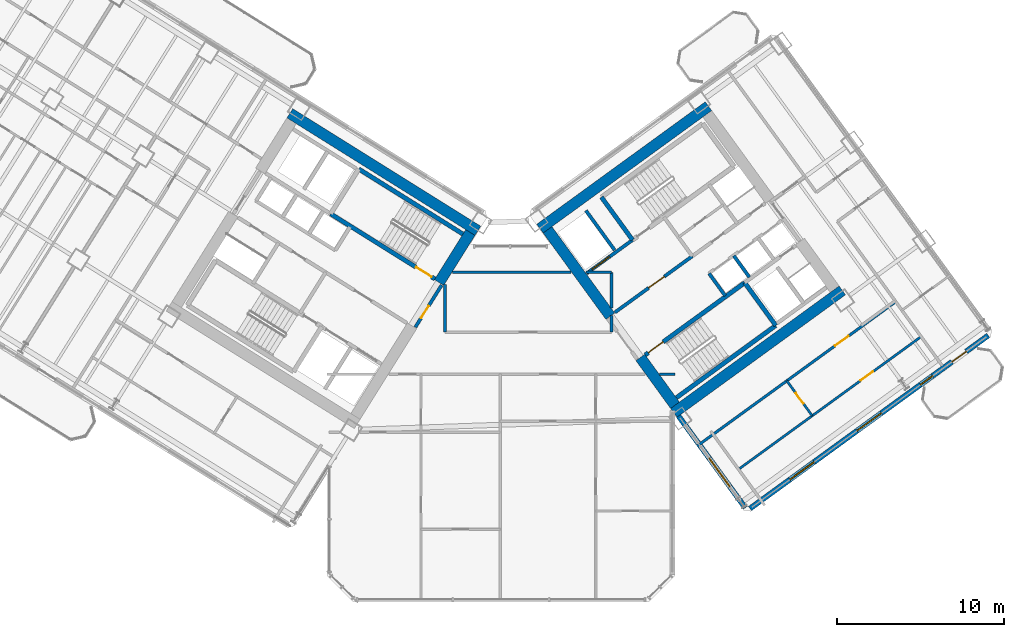
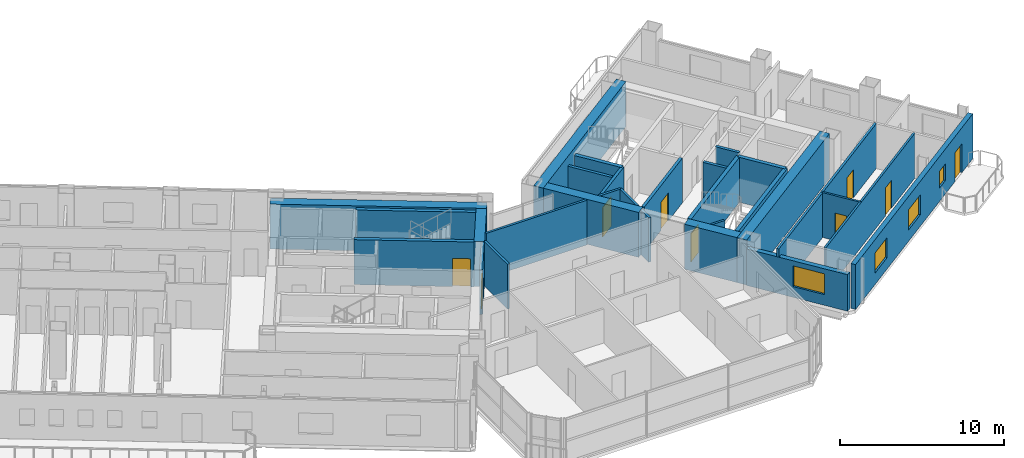
# One storey, part 18 of 28: 29 walls, 9 doors, 4 windows, 13 openings.
"""IFC4 building model written with IfcOpenShell, lengths in metres."""

from ifc_helpers import new_model, si_unit, direction, frame, frame_2d, origin, place, context, subcontext, project, spatial, rectangle, extrude, source, transform, mapped, material, layer, layer_set, type_object, element, fill, save


model = new_model("IFC4")

# Units and contexts
model_context = context("Model", 3, precision=1e-05, world=origin(), true_north=direction((0.0, 1.0)))
body_context = subcontext(model_context, "Body", "Model", "MODEL_VIEW")
ifc_project = project(units=[si_unit("LENGTHUNIT", "METRE"), si_unit("AREAUNIT", "SQUARE_METRE"), si_unit("VOLUMEUNIT", "CUBIC_METRE"), si_unit("PLANEANGLEUNIT", "RADIAN"), si_unit("MASSUNIT", "GRAM", prefix="KILO")], contexts=[model_context])

# Site, building, storey
site_placement = place(None, origin())
site = spatial("IfcSite", under=ifc_project, at=site_placement, CompositionType="ELEMENT")
building_placement = place(site_placement, origin())
building = spatial("IfcBuilding", under=site, at=building_placement, Name="Tlacorven Tower", CompositionType="ELEMENT")
storey_placement = place(building_placement, frame((0.0, 0.0, 27.60009765625)))
storey = spatial("IfcBuildingStorey", under=building, at=storey_placement, Name="L06", CompositionType="ELEMENT", Elevation=27.60009765625)

# Walls
ifc_material_1 = material(Name="Concrete C60/75", Category="concrete")
ifc_layer_1 = layer(ifc_material_1, 0.64990234375)
ifc_layer_set_1 = layer_set([ifc_layer_1], Name="Concrete C60/75")
wall_type_1 = type_object("IfcWallType", Name="WL-COR-650", PredefinedType="SHEAR", material=ifc_layer_set_1)
wall_1_placement = place(storey_placement, frame((40.615478515625, 23.9833984375, 0.0), z_axis=(0.0, 0.0, 1.0), x_axis=(-0.848045953968, 0.529922692436, 0.0)))
element("IfcWall", 1, at=wall_1_placement, inside=storey, type_object=wall_type_1, Name="L06 W core shear wall S1", PredefinedType="SHEAR", context=body_context, shape_type="SweptSolid", body=[
    extrude(rectangle(XDim=13.239990234375, YDim=0.64990234375, at=frame_2d((6.6201171875, 0.0))), origin(), (0.0, 0.0, 1.0), 3.349853515625),
])
wall_2_placement = place(storey_placement, frame((40.167724609375, 23.880126953125, 0.0), z_axis=(0.0, 0.0, 1.0), x_axis=(-0.529893103397, -0.8480644427, 0.0)))
element("IfcWall", 2, at=wall_2_placement, inside=storey, type_object=wall_type_1, Name="L06 W core end wall E1.1", PredefinedType="SHEAR", context=body_context, shape_type="SweptSolid", body=[
    extrude(rectangle(XDim=3.525146484375, YDim=0.64990234375, at=frame_2d((1.7626953125, 0.0))), origin(), (0.0, 0.0, 1.0), 3.349853515625),
])
wall_3_placement = place(storey_placement, frame((52.318359375, 13.1103515625, 0.0), z_axis=(0.0, 0.0, 1.0), x_axis=(0.809019445368, 0.587781878776, 0.0)))
element("IfcWall", 3, at=wall_3_placement, inside=storey, type_object=wall_type_1, Name="L06 E core shear wall S1", PredefinedType="SHEAR", context=body_context, shape_type="SweptSolid", body=[
    extrude(rectangle(XDim=12.43994140625, YDim=0.64990234375, at=frame_2d((6.219970703125, 0.0))), origin(), (0.0, 0.0, 1.0), 3.349853515625),
])
wall_4_placement = place(storey_placement, frame((44.32470703125, 24.113037109375, 0.0), z_axis=(0.0, 0.0, 1.0), x_axis=(0.809012664862, 0.58779121131, 0.0)))
element("IfcWall", 4, at=wall_4_placement, inside=storey, type_object=wall_type_1, Name="L06 E core shear wall S2", PredefinedType="SHEAR", context=body_context, shape_type="SweptSolid", body=[
    extrude(rectangle(XDim=12.439697265625, YDim=0.64990234375, at=frame_2d((6.2197265625, 0.0))), origin(), (0.0, 0.0, 1.0), 3.349853515625),
])
wall_5_placement = place(storey_placement, frame((52.390380859375, 13.564208984375, 0.0), z_axis=(0.0, 0.0, 1.0), x_axis=(-0.58779688989, 0.809008539037, 0.0)))
element("IfcWall", 5, at=wall_5_placement, inside=storey, type_object=wall_type_1, Name="L06 E core end wall E1.1", PredefinedType="SHEAR", context=body_context, shape_type="SweptSolid", body=[
    extrude(rectangle(XDim=3.525146484375, YDim=0.64990234375, at=frame_2d((1.7626953125, 0.0))), origin(), (0.0, 0.0, 1.0), 3.349853515625),
])
wall_6_placement = place(storey_placement, frame((48.525634765625, 18.883544921875, 0.0), z_axis=(0.0, 0.0, 1.0), x_axis=(-0.58777996584, 0.809020835181, 0.0)))
element("IfcWall", 6, at=wall_6_placement, inside=storey, type_object=wall_type_1, Name="L06 E core end wall E1.2", PredefinedType="SHEAR", context=body_context, shape_type="SweptSolid", body=[
    extrude(rectangle(XDim=6.375, YDim=0.64990234375, at=frame_2d((3.1875, 0.0))), origin(), (0.0, 0.0, 1.0), 3.349853515625),
])
ifc_material_2 = material(Name="Gypsum plasterboard acoustic partition", Category="gypsum")
ifc_layer_2 = layer(ifc_material_2, 0.159912109375)
ifc_layer_set_2 = layer_set([ifc_layer_2], Name="Gypsum plasterboard acoustic partition")
wall_type_2 = type_object("IfcWallType", Name="WL-DEM-160", PredefinedType="PARTITIONING", material=ifc_layer_set_2)
wall_7_placement = place(storey_placement, frame((51.477294921875, 15.419921875, 0.0), z_axis=(0.0, 0.0, 1.0), x_axis=(1.0, 0.0, 0.0)))
element("IfcWall", 7, at=wall_7_placement, inside=storey, type_object=wall_type_2, Name="L06 Knuckle Corridor South Wall", PredefinedType="PARTITIONING", context=body_context, shape_type="SweptSolid", body=[
    extrude(rectangle(XDim=0.922607421875, YDim=0.159912109375, at=frame_2d((0.46142578125, 0.0))), origin(), (0.0, 0.0, 1.0), 3.33984375),
])
wall_8_placement = place(storey_placement, frame((38.64990234375, 17.929931640625, 0.0), z_axis=(0.0, 0.0, 1.0), x_axis=(0.0, 1.0, 0.0)))
element("IfcWall", 8, at=wall_8_placement, inside=storey, type_object=wall_type_2, Name="L06 partition 76", PredefinedType="PARTITIONING", context=body_context, shape_type="SweptSolid", body=[
    extrude(rectangle(XDim=2.85693359375, YDim=0.159912109375, at=frame_2d((1.428466796875, 0.0))), origin(), (0.0, 0.0, 1.0), 3.33984375),
])
wall_9_placement = place(storey_placement, frame((48.60009765625, 17.929931640625, 0.0), z_axis=(0.0, 0.0, 1.0), x_axis=(0.0, 1.0, 0.0)))
element("IfcWall", 9, at=wall_9_placement, inside=storey, type_object=wall_type_2, Name="L06 partition 77", PredefinedType="PARTITIONING", context=body_context, shape_type="SweptSolid", body=[
    extrude(rectangle(XDim=0.99267578125, YDim=0.159912109375, at=frame_2d((0.496337890625, 0.0))), origin(), (0.0, 0.0, 1.0), 3.33984375),
])
wall_10_placement = place(storey_placement, frame((48.60009765625, 19.380126953125, 0.0), z_axis=(0.0, 0.0, 1.0), x_axis=(0.0, 1.0, 0.0)))
element("IfcWall", 10, at=wall_10_placement, inside=storey, type_object=wall_type_2, Name="L06 partition 77", PredefinedType="PARTITIONING", context=body_context, shape_type="SweptSolid", body=[
    extrude(rectangle(XDim=2.119873046875, YDim=0.159912109375, at=frame_2d((1.06005859375, 0.0))), origin(), (0.0, 0.0, 1.0), 3.33984375),
])
wall_11_placement = place(storey_placement, frame((39.095458984375, 21.5, 0.0), z_axis=(0.0, 0.0, 1.0), x_axis=(1.0, 0.0, 0.0)))
element("IfcWall", 11, at=wall_11_placement, inside=storey, type_object=wall_type_2, Name="L06 partition 78", PredefinedType="PARTITIONING", context=body_context, shape_type="SweptSolid", body=[
    extrude(rectangle(XDim=7.09423828125, YDim=0.159912109375, at=frame_2d((3.547119140625, 0.0))), origin(), (0.0, 0.0, 1.0), 3.33984375),
])
wall_12_placement = place(storey_placement, frame((47.059814453125, 21.5, 0.0), z_axis=(0.0, 0.0, 1.0), x_axis=(1.0, 0.0, 0.0)))
element("IfcWall", 12, at=wall_12_placement, inside=storey, type_object=wall_type_2, Name="L06 partition 78", PredefinedType="PARTITIONING", context=body_context, shape_type="SweptSolid", body=[
    extrude(rectangle(XDim=1.540283203125, YDim=0.159912109375, at=frame_2d((0.77001953125, 0.0))), origin(), (0.0, 0.0, 1.0), 3.33984375),
])

# Wall, opening, door
wall_13_placement = place(storey_placement, frame((53.70458984375, 11.1259765625, 0.0), z_axis=(0.0, 0.0, 1.0), x_axis=(0.809014504436, 0.587788679384, 0.0)))
wall_13 = element("IfcWall", 13, at=wall_13_placement, inside=storey, type_object=wall_type_2, Name="L06 partition 98", PredefinedType="PARTITIONING", context=body_context, shape_type="SweptSolid", body=[
    extrude(rectangle(XDim=14.669921875, YDim=0.159912109375, at=frame_2d((7.3349609375, 0.0))), origin(), (0.0, 0.0, 1.0), 3.33984375),
])
opening_1_placement = place(wall_13_placement, frame((10.199951171875, 0.0, 0.0)))
opening_1 = element("IfcOpeningElement", 14, at=opening_1_placement, cuts=wall_13, Name="Opening D11", PredefinedType="OPENING", context=body_context, shape_type="SweptSolid", body=[
    extrude(rectangle(XDim=1.0, YDim=2.10009765625, at=frame_2d((0.5, 1.050048828125))), frame((0.0, 0.08984375, 0.0), z_axis=(0.0, -1.0, 0.0), x_axis=(1.0, 0.0, 0.0)), (0.0, 0.0, 1.0), 0.179931640625),
])
ifc_material_3 = material(Name="Fire-rated steel door assembly", Category="steel")
door_type_1 = type_object("IfcDoorType", Name="DR-FLT-FD60-1000", OperationType="NOTDEFINED", PredefinedType="DOOR", material=ifc_material_3)
shared_shape_1 = source(origin(), body_context, "Body", "SweptSolid", [
    extrude(rectangle(XDim=1.0, YDim=2.10009765625, at=frame_2d((0.5, 1.050048828125))), frame((0.0, 0.02490234375, 0.0), z_axis=(0.0, -1.0, 0.0), x_axis=(1.0, 0.0, 0.0)), (0.0, 0.0, 1.0), 0.050048828125),
])
door_1_placement = place(opening_1_placement, origin())
door_1 = element("IfcDoor", 15, at=door_1_placement, inside=storey, type_object=door_type_1, Name="L06 door 059", OperationType="SINGLE_SWING_LEFT", OverallHeight=2.10009765625, OverallWidth=1.0, PredefinedType="DOOR", context=body_context, shape_type="MappedRepresentation", body=[
    mapped(shared_shape_1, transform((0.0, 0.0, 0.0), scale=1.0)),
])
fill(opening_1, door_1)

# Wall, openings, door, windows
ifc_material_4 = material(Name="Precast concrete C45/55", Category="concrete")
ifc_layer_3 = layer(ifc_material_4, 0.320068359375)
ifc_layer_set_3 = layer_set([ifc_layer_3], Name="Precast concrete C45/55")
wall_type_3 = type_object("IfcWallType", Name="WL-EXT-320", PredefinedType="STANDARD", material=ifc_layer_set_3)
wall_14_placement = place(storey_placement, frame((71.097900390625, 17.73095703125, 0.0), z_axis=(0.0, 0.0, 1.0), x_axis=(-0.809021120468, -0.587779573171, 0.0)))
wall_14 = element("IfcWall", 16, at=wall_14_placement, inside=storey, type_object=wall_type_3, Name="L06 Masonry-Frame Recessed Facade Wall 6", PredefinedType="STANDARD", context=body_context, shape_type="SweptSolid", body=[
    extrude(rectangle(XDim=17.587646484375, YDim=0.320068359375, at=frame_2d((8.7939453125, 0.0))), origin(), (0.0, 0.0, 1.0), 3.349853515625),
])
opening_2_placement = place(wall_14_placement, frame((1.623779296875, 0.0, 0.0)))
opening_2 = element("IfcOpeningElement", 17, at=opening_2_placement, cuts=wall_14, Name="Opening D06", PredefinedType="OPENING", context=body_context, shape_type="SweptSolid", body=[
    extrude(rectangle(XDim=1.050048828125, YDim=2.14990234375, at=frame_2d((0.52490234375, 1.074951171875))), frame((0.0, 0.169921875, 0.0), z_axis=(0.0, -1.0, 0.0), x_axis=(1.0, 0.0, 0.0)), (0.0, 0.0, 1.0), 0.340087890625),
])
opening_3_placement = place(wall_14_placement, frame((4.103759765625, 0.0, 1.0)))
opening_3 = element("IfcOpeningElement", 18, at=opening_3_placement, cuts=wall_14, Name="Opening WN05", PredefinedType="OPENING", context=body_context, shape_type="SweptSolid", body=[
    extrude(rectangle(XDim=0.89990234375, YDim=1.25, at=frame_2d((0.449951171875, 0.625))), frame((0.0, 0.169921875, 0.0), z_axis=(0.0, -1.0, 0.0), x_axis=(1.0, 0.0, 0.0)), (0.0, 0.0, 1.0), 0.340087890625),
])
opening_4_placement = place(wall_14_placement, frame((7.878662109375, 0.0, 0.85009765625)))
opening_4 = element("IfcOpeningElement", 19, at=opening_4_placement, cuts=wall_14, Name="Opening WN01", PredefinedType="OPENING", context=body_context, shape_type="SweptSolid", body=[
    extrude(rectangle(XDim=1.800048828125, YDim=1.5, at=frame_2d((0.89990234375, 0.75))), frame((0.0, 0.169921875, 0.0), z_axis=(0.0, -1.0, 0.0), x_axis=(1.0, 0.0, 0.0)), (0.0, 0.0, 1.0), 0.340087890625),
])
opening_5_placement = place(wall_14_placement, frame((12.8486328125, 0.0, 0.85009765625)))
opening_5 = element("IfcOpeningElement", 20, at=opening_5_placement, cuts=wall_14, Name="Opening WN01", PredefinedType="OPENING", context=body_context, shape_type="SweptSolid", body=[
    extrude(rectangle(XDim=1.800048828125, YDim=1.5, at=frame_2d((0.89990234375, 0.75))), frame((0.0, 0.169921875, 0.0), z_axis=(0.0, -1.0, 0.0), x_axis=(1.0, 0.0, 0.0)), (0.0, 0.0, 1.0), 0.340087890625),
])
ifc_material_5 = material(Name="Powder-coated aluminium and timber door", Category="wood")
door_type_2 = type_object("IfcDoorType", Name="DR-EXT-BALC-1050", OperationType="NOTDEFINED", PredefinedType="DOOR", material=ifc_material_5)
shared_shape_2 = source(origin(), body_context, "Body", "SweptSolid", [
    extrude(rectangle(XDim=1.050048828125, YDim=2.14990234375, at=frame_2d((0.52490234375, 1.074951171875))), frame((0.0, 0.02490234375, 0.0), z_axis=(0.0, -1.0, 0.0), x_axis=(1.0, 0.0, 0.0)), (0.0, 0.0, 1.0), 0.050048828125),
])
door_2_placement = place(opening_2_placement, origin())
door_2 = element("IfcDoor", 21, at=door_2_placement, inside=storey, type_object=door_type_2, Name="L06 Outdoor Access Door BAL-L06-E-OUT", OperationType="SINGLE_SWING_LEFT", OverallHeight=2.14990234375, OverallWidth=1.050048828125, PredefinedType="DOOR", context=body_context, shape_type="MappedRepresentation", body=[
    mapped(shared_shape_2, transform((0.0, 0.0, 0.0), scale=1.0)),
])
fill(opening_2, door_2)
ifc_material_6 = material(Name="Dark solar low-E double glazing in anodised aluminium frame", Category="aluminium")
window_type_1 = type_object("IfcWindowType", Name="WN-APT-1800X1650", PartitioningType="SINGLE_PANEL", PredefinedType="WINDOW", material=ifc_material_6)
shared_shape_3 = source(origin(), body_context, "Body", "SweptSolid", [
    extrude(rectangle(XDim=1.800048828125, YDim=1.5, at=frame_2d((0.89990234375, 0.75))), frame((0.0, 0.030029296875, 0.0), z_axis=(0.0, -1.0, 0.0), x_axis=(1.0, 0.0, 0.0)), (0.0, 0.0, 1.0), 0.06005859375),
])
window_1_placement = place(opening_4_placement, origin())
window_1 = element("IfcWindow", 22, at=window_1_placement, inside=storey, type_object=window_type_1, Name="L06 Recessed Masonry-Frame Window L06-06.2", OverallHeight=1.5, OverallWidth=1.800048828125, PartitioningType="SINGLE_PANEL", PredefinedType="WINDOW", context=body_context, shape_type="MappedRepresentation", body=[
    mapped(shared_shape_3, transform((0.0, 0.0, 0.0), scale=1.0)),
])
fill(opening_4, window_1)
window_2_placement = place(opening_5_placement, origin())
window_2 = element("IfcWindow", 23, at=window_2_placement, inside=storey, type_object=window_type_1, Name="L06 Recessed Masonry-Frame Window L06-06.3", OverallHeight=1.5, OverallWidth=1.800048828125, PartitioningType="SINGLE_PANEL", PredefinedType="WINDOW", context=body_context, shape_type="MappedRepresentation", body=[
    mapped(shared_shape_3, transform((0.0, 0.0, 0.0), scale=1.0)),
])
fill(opening_5, window_2)
window_type_2 = type_object("IfcWindowType", Name="WN-APT-0900X1350", PartitioningType="SINGLE_PANEL", PredefinedType="WINDOW", material=ifc_material_6)
shared_shape_4 = source(origin(), body_context, "Body", "SweptSolid", [
    extrude(rectangle(XDim=0.89990234375, YDim=1.25, at=frame_2d((0.449951171875, 0.625))), frame((0.0, 0.030029296875, 0.0), z_axis=(0.0, -1.0, 0.0), x_axis=(1.0, 0.0, 0.0)), (0.0, 0.0, 1.0), 0.06005859375),
])
window_3_placement = place(opening_3_placement, origin())
window_3 = element("IfcWindow", 24, at=window_3_placement, inside=storey, type_object=window_type_2, Name="L06 Recessed Masonry-Frame Window L06-06.1", OverallHeight=1.25, OverallWidth=0.89990234375, PartitioningType="SINGLE_PANEL", PredefinedType="WINDOW", context=body_context, shape_type="MappedRepresentation", body=[
    mapped(shared_shape_4, transform((0.0, 0.0, 0.0), scale=1.0)),
])
fill(opening_3, window_3)

# Wall, opening, window
wall_15_placement = place(storey_placement, frame((56.5810546875, 7.43896484375, 0.0), z_axis=(0.0, 0.0, 1.0), x_axis=(-0.587785875463, 0.809016541614, 0.0)))
wall_15 = element("IfcWall", 25, at=wall_15_placement, inside=storey, type_object=wall_type_3, Name="L06 Masonry-Frame Recessed Facade Wall 7", PredefinedType="STANDARD", context=body_context, shape_type="SweptSolid", body=[
    extrude(rectangle(XDim=6.773681640625, YDim=0.320068359375, at=frame_2d((3.38671875, 0.0))), origin(), (0.0, 0.0, 1.0), 2.724853515625),
])
opening_6_placement = place(wall_15_placement, frame((1.55615234375, 0.0, 0.800048828125)))
opening_6 = element("IfcOpeningElement", 26, at=opening_6_placement, cuts=wall_15, Name="Opening WN04", PredefinedType="OPENING", context=body_context, shape_type="SweptSolid", body=[
    extrude(rectangle(XDim=2.10009765625, YDim=1.550048828125, at=frame_2d((1.050048828125, 0.77490234375))), frame((0.0, 0.169921875, 0.0), z_axis=(0.0, -1.0, 0.0), x_axis=(1.0, 0.0, 0.0)), (0.0, 0.0, 1.0), 0.340087890625),
])
window_type_3 = type_object("IfcWindowType", Name="WN-APT-2100X1750", PartitioningType="SINGLE_PANEL", PredefinedType="WINDOW", material=ifc_material_6)
shared_shape_5 = source(origin(), body_context, "Body", "SweptSolid", [
    extrude(rectangle(XDim=2.10009765625, YDim=1.550048828125, at=frame_2d((1.050048828125, 0.77490234375))), frame((0.0, 0.030029296875, 0.0), z_axis=(0.0, -1.0, 0.0), x_axis=(1.0, 0.0, 0.0)), (0.0, 0.0, 1.0), 0.06005859375),
])
window_4_placement = place(opening_6_placement, origin())
window_4 = element("IfcWindow", 27, at=window_4_placement, inside=storey, type_object=window_type_3, Name="L06 Recessed Masonry-Frame Window L06-07.1", OverallHeight=1.550048828125, OverallWidth=2.10009765625, PartitioningType="SINGLE_PANEL", PredefinedType="WINDOW", context=body_context, shape_type="MappedRepresentation", body=[
    mapped(shared_shape_5, transform((0.0, 0.0, 0.0), scale=1.0)),
])
fill(opening_6, window_4)

# Wall, opening, door
ifc_material_7 = material(Name="Moisture-resistant gypsum plumbing wall", Category="gypsum")
ifc_layer_4 = layer(ifc_material_7, 0.139892578125)
ifc_layer_set_4 = layer_set([ifc_layer_4], Name="Moisture-resistant gypsum plumbing wall")
wall_type_4 = type_object("IfcWallType", Name="WL-PLM-140", PredefinedType="PLUMBINGWALL", material=ifc_layer_set_4)
wall_16_placement = place(storey_placement, frame((56.24853515625, 9.78515625, 0.0), z_axis=(0.0, 0.0, 1.0), x_axis=(0.809011747655, 0.587792473715, 0.0)))
wall_16 = element("IfcWall", 28, at=wall_16_placement, inside=storey, type_object=wall_type_4, Name="L06 partition 100", PredefinedType="PLUMBINGWALL", context=body_context, shape_type="SweptSolid", body=[
    extrude(rectangle(XDim=13.400146484375, YDim=0.139892578125, at=frame_2d((6.7001953125, 0.0))), origin(), (0.0, 0.0, 1.0), 3.33984375),
])
opening_7_placement = place(wall_16_placement, frame((8.93994140625, 0.0, 0.0)))
opening_7 = element("IfcOpeningElement", 29, at=opening_7_placement, cuts=wall_16, Name="Opening D12", PredefinedType="OPENING", context=body_context, shape_type="SweptSolid", body=[
    extrude(rectangle(XDim=0.919921875, YDim=2.080078125, at=frame_2d((0.4599609375, 1.0400390625))), frame((0.0, 0.080078125, 0.0), z_axis=(0.0, -1.0, 0.0), x_axis=(1.0, 0.0, 0.0)), (0.0, 0.0, 1.0), 0.159912109375),
])
door_type_3 = type_object("IfcDoorType", Name="DR-INT-ROOM-0920", OperationType="NOTDEFINED", PredefinedType="DOOR", material=ifc_material_5)
shared_shape_6 = source(origin(), body_context, "Body", "SweptSolid", [
    extrude(rectangle(XDim=0.919921875, YDim=2.080078125, at=frame_2d((0.4599609375, 1.0400390625))), frame((0.0, 0.02490234375, 0.0), z_axis=(0.0, -1.0, 0.0), x_axis=(1.0, 0.0, 0.0)), (0.0, 0.0, 1.0), 0.050048828125),
])
door_3_placement = place(opening_7_placement, origin())
door_3 = element("IfcDoor", 30, at=door_3_placement, inside=storey, type_object=door_type_3, Name="L06 door 060", OperationType="SINGLE_SWING_RIGHT", OverallHeight=2.080078125, OverallWidth=0.919921875, PredefinedType="DOOR", context=body_context, shape_type="MappedRepresentation", body=[
    mapped(shared_shape_6, transform((0.0, 0.0, 0.0), scale=1.0)),
])
fill(opening_7, door_3)

wall_17_placement = place(storey_placement, frame((60.584716796875, 12.935791015625, 0.0), z_axis=(0.0, 0.0, 1.0), x_axis=(-0.587772116736, 0.809026537752, 0.0)))
wall_17 = element("IfcWall", 31, at=wall_17_placement, inside=storey, type_object=wall_type_4, Name="L06 partition 101", PredefinedType="PLUMBINGWALL", context=body_context, shape_type="SweptSolid", body=[
    extrude(rectangle(XDim=2.579833984375, YDim=0.139892578125, at=frame_2d((1.2900390625, 0.0))), origin(), (0.0, 0.0, 1.0), 3.33984375),
])
opening_8_placement = place(wall_17_placement, frame((0.89990234375, 0.0, 0.0)))
opening_8 = element("IfcOpeningElement", 32, at=opening_8_placement, cuts=wall_17, Name="Opening D22", PredefinedType="OPENING", context=body_context, shape_type="SweptSolid", body=[
    extrude(rectangle(XDim=0.780029296875, YDim=2.050048828125, at=frame_2d((0.39013671875, 1.02490234375))), frame((0.0, 0.080078125, 0.0), z_axis=(0.0, -1.0, 0.0), x_axis=(1.0, 0.0, 0.0)), (0.0, 0.0, 1.0), 0.159912109375),
])
door_type_4 = type_object("IfcDoorType", Name="DR-INT-WET-0780", OperationType="NOTDEFINED", PredefinedType="DOOR", material=ifc_material_5)
shared_shape_7 = source(origin(), body_context, "Body", "SweptSolid", [
    extrude(rectangle(XDim=0.780029296875, YDim=2.050048828125, at=frame_2d((0.39013671875, 1.02490234375))), frame((0.0, 0.02490234375, 0.0), z_axis=(0.0, -1.0, 0.0), x_axis=(1.0, 0.0, 0.0)), (0.0, 0.0, 1.0), 0.050048828125),
])
door_4_placement = place(opening_8_placement, origin())
door_4 = element("IfcDoor", 33, at=door_4_placement, inside=storey, type_object=door_type_4, Name="L06 door 061", OperationType="SINGLE_SWING_LEFT", OverallHeight=2.050048828125, OverallWidth=0.780029296875, PredefinedType="DOOR", context=body_context, shape_type="MappedRepresentation", body=[
    mapped(shared_shape_7, transform((0.0, 0.0, 0.0), scale=1.0)),
])
fill(opening_8, door_4)

ifc_material_8 = material(Name="Concrete C40/50", Category="concrete")
ifc_layer_5 = layer(ifc_material_8, 0.199951171875)
ifc_layer_set_5 = layer_set([ifc_layer_5], Name="Concrete C40/50")
wall_type_5 = type_object("IfcWallType", Name="WL-SHF-200", PredefinedType="STANDARD", material=ifc_layer_set_5)
wall_18_placement = place(storey_placement, frame((47.10595703125, 21.4365234375, 0.0), z_axis=(0.0, 0.0, 1.0), x_axis=(0.809012514015, 0.58779141893, 0.0)))
wall_18 = element("IfcWall", 34, at=wall_18_placement, inside=storey, type_object=wall_type_5, Name="L06 Core E Firefighting Lift Shaft Front Wall", PredefinedType="STANDARD", context=body_context, shape_type="SweptSolid", body=[
    extrude(rectangle(XDim=3.39794921875, YDim=0.199951171875, at=frame_2d((1.698974609375, 0.0))), origin(), (0.0, 0.0, 1.0), 3.33984375),
])
opening_9_placement = place(wall_18_placement, frame((0.407958984375, 0.0, 0.0)))
opening_9 = element("IfcOpeningElement", 35, at=opening_9_placement, cuts=wall_18, Name="Opening LD03", PredefinedType="OPENING", context=body_context, shape_type="SweptSolid", body=[
    extrude(rectangle(XDim=1.300048828125, YDim=2.199951171875, at=frame_2d((0.64990234375, 1.10009765625))), frame((0.0, 0.10986328125, 0.0), z_axis=(0.0, -1.0, 0.0), x_axis=(1.0, 0.0, 0.0)), (0.0, 0.0, 1.0), 0.219970703125),
])
door_type_5 = type_object("IfcDoorType", Name="DR-LFT-SLID-1300", OperationType="DOUBLE_DOOR_SLIDING", PredefinedType="DOOR", material=ifc_material_3)
shared_shape_8 = source(origin(), body_context, "Body", "SweptSolid", [
    extrude(rectangle(XDim=1.300048828125, YDim=2.199951171875, at=frame_2d((0.64990234375, 1.10009765625))), frame((0.0, 0.02490234375, 0.0), z_axis=(0.0, -1.0, 0.0), x_axis=(1.0, 0.0, 0.0)), (0.0, 0.0, 1.0), 0.050048828125),
])
door_5_placement = place(opening_9_placement, origin())
door_5 = element("IfcDoor", 36, at=door_5_placement, inside=storey, type_object=door_type_5, Name="L06 Lift FFL-E1 Sliding Landing Door", OperationType="DOUBLE_DOOR_SLIDING", OverallHeight=2.199951171875, OverallWidth=1.300048828125, PredefinedType="DOOR", context=body_context, shape_type="MappedRepresentation", body=[
    mapped(shared_shape_8, transform((0.0, 0.0, 0.0), scale=1.0)),
])
fill(opening_9, door_5)

wall_19_placement = place(storey_placement, frame((48.798828125, 19.106689453125, 0.0), z_axis=(0.0, 0.0, 1.0), x_axis=(0.809012959416, 0.587790805897, 0.0)))
wall_19 = element("IfcWall", 37, at=wall_19_placement, inside=storey, type_object=wall_type_5, Name="L06 Core E Smoke Lobby Wall", PredefinedType="STANDARD", context=body_context, shape_type="SweptSolid", body=[
    extrude(rectangle(XDim=5.7177734375, YDim=0.199951171875, at=frame_2d((2.85888671875, 0.0))), origin(), (0.0, 0.0, 1.0), 3.33984375),
])
opening_10_placement = place(wall_19_placement, frame((2.498046875, 0.0, 0.0)))
opening_10 = element("IfcOpeningElement", 38, at=opening_10_placement, cuts=wall_19, Name="Opening D09", PredefinedType="OPENING", context=body_context, shape_type="SweptSolid", body=[
    extrude(rectangle(XDim=1.14990234375, YDim=2.10009765625, at=frame_2d((0.574951171875, 1.050048828125))), frame((0.0, 0.10986328125, 0.0), z_axis=(0.0, -1.0, 0.0), x_axis=(1.0, 0.0, 0.0)), (0.0, 0.0, 1.0), 0.219970703125),
])
door_type_6 = type_object("IfcDoorType", Name="DR-FFL-FD60-1150", OperationType="NOTDEFINED", PredefinedType="DOOR", material=ifc_material_3)
shared_shape_9 = source(origin(), body_context, "Body", "SweptSolid", [
    extrude(rectangle(XDim=1.14990234375, YDim=2.10009765625, at=frame_2d((0.574951171875, 1.050048828125))), frame((0.0, 0.02490234375, 0.0), z_axis=(0.0, -1.0, 0.0), x_axis=(1.0, 0.0, 0.0)), (0.0, 0.0, 1.0), 0.050048828125),
])
door_6_placement = place(opening_10_placement, origin())
door_6 = element("IfcDoor", 39, at=door_6_placement, inside=storey, type_object=door_type_6, Name="L06 Firefighting Lobby E Fire Door", OperationType="SINGLE_SWING_LEFT", OverallHeight=2.10009765625, OverallWidth=1.14990234375, PredefinedType="DOOR", context=body_context, shape_type="MappedRepresentation", body=[
    mapped(shared_shape_9, transform((0.0, 0.0, 0.0), scale=1.0)),
])
fill(opening_10, door_6)

# Walls
wall_20_placement = place(storey_placement, frame((55.390869140625, 20.1015625, 0.0), z_axis=(0.0, 0.0, 1.0), x_axis=(-0.58778447739, 0.809017557374, 0.0)))
element("IfcWall", 40, at=wall_20_placement, inside=storey, type_object=wall_type_5, Name="L06 partition 34", PredefinedType="STANDARD", context=body_context, shape_type="SweptSolid", body=[
    extrude(rectangle(XDim=1.64990234375, YDim=0.199951171875, at=frame_2d((0.824951171875, 0.0))), origin(), (0.0, 0.0, 1.0), 3.33984375),
])
wall_21_placement = place(storey_placement, frame((48.78564453125, 22.830078125, 0.0), z_axis=(0.0, 0.0, 1.0), x_axis=(-0.587783856777, 0.809018008275, 0.0)))
element("IfcWall", 41, at=wall_21_placement, inside=storey, type_object=wall_type_5, Name="L06 partition 35", PredefinedType="STANDARD", context=body_context, shape_type="SweptSolid", body=[
    extrude(rectangle(XDim=2.919921875, YDim=0.199951171875, at=frame_2d((1.4599609375, 0.0))), origin(), (0.0, 0.0, 1.0), 3.33984375),
])
wall_22_placement = place(storey_placement, frame((56.833984375, 21.211669921875, 0.0), z_axis=(0.0, 0.0, 1.0), x_axis=(-0.58776738483, 0.809029975545, 0.0)))
element("IfcWall", 42, at=wall_22_placement, inside=storey, type_object=wall_type_5, Name="L06 partition 36", PredefinedType="STANDARD", context=body_context, shape_type="SweptSolid", body=[
    extrude(rectangle(XDim=1.580078125, YDim=0.199951171875, at=frame_2d((0.7900390625, 0.0))), origin(), (0.0, 0.0, 1.0), 3.33984375),
])

# Wall, opening, door
wall_23_placement = place(storey_placement, frame((38.451416015625, 20.737060546875, 0.0), z_axis=(0.0, 0.0, 1.0), x_axis=(-0.529924799939, -0.848044637038, 0.0)))
wall_23 = element("IfcWall", 43, at=wall_23_placement, inside=storey, type_object=wall_type_5, Name="L06 partition 73", PredefinedType="STANDARD", context=body_context, shape_type="SweptSolid", body=[
    extrude(rectangle(XDim=2.9599609375, YDim=0.199951171875, at=frame_2d((1.47998046875, 0.0))), origin(), (0.0, 0.0, 1.0), 3.33984375),
])
opening_11_placement = place(wall_23_placement, frame((1.4599609375, 0.0, 0.0)))
opening_11 = element("IfcOpeningElement", 44, at=opening_11_placement, cuts=wall_23, Name="Opening D19", PredefinedType="OPENING", context=body_context, shape_type="SweptSolid", body=[
    extrude(rectangle(XDim=0.860107421875, YDim=2.050048828125, at=frame_2d((0.43017578125, 1.02490234375))), frame((0.0, 0.10986328125, 0.0), z_axis=(0.0, -1.0, 0.0), x_axis=(1.0, 0.0, 0.0)), (0.0, 0.0, 1.0), 0.219970703125),
])
door_type_7 = type_object("IfcDoorType", Name="DR-RSR-FD60-0860", OperationType="NOTDEFINED", PredefinedType="DOOR", material=ifc_material_3)
shared_shape_10 = source(origin(), body_context, "Body", "SweptSolid", [
    extrude(rectangle(XDim=0.860107421875, YDim=2.050048828125, at=frame_2d((0.43017578125, 1.02490234375))), frame((0.0, 0.02490234375, 0.0), z_axis=(0.0, -1.0, 0.0), x_axis=(1.0, 0.0, 0.0)), (0.0, 0.0, 1.0), 0.050048828125),
])
door_7_placement = place(opening_11_placement, frame((0.860107421875, 0.0, 0.0), z_axis=(0.0, 0.0, 1.0), x_axis=(-1.0, 0.0, 0.0)))
door_7 = element("IfcDoor", 45, at=door_7_placement, inside=storey, type_object=door_type_7, Name="L06 door 042", OperationType="SINGLE_SWING_LEFT", OverallHeight=2.050048828125, OverallWidth=0.860107421875, PredefinedType="DOOR", context=body_context, shape_type="MappedRepresentation", body=[
    mapped(shared_shape_10, transform((0.0, 0.0, 0.0), scale=1.0)),
])
fill(opening_11, door_7)

# Wall
ifc_material_9 = material(Name="Concrete C50/60", Category="concrete")
ifc_layer_6 = layer(ifc_material_9, 0.260009765625)
ifc_layer_set_6 = layer_set([ifc_layer_6], Name="Concrete C50/60")
wall_type_6 = type_object("IfcWallType", Name="WL-STW-260", PredefinedType="SHEAR", material=ifc_layer_set_6)
wall_24_placement = place(storey_placement, frame((39.720947265625, 23.787841796875, 0.0), z_axis=(0.0, 0.0, 1.0), x_axis=(-0.848054434086, 0.529909121291, 0.0)))
element("IfcWall", 46, at=wall_24_placement, inside=storey, type_object=wall_type_6, Name="L06 Stair W2 Far Shear Wall", PredefinedType="SHEAR", context=body_context, shape_type="SweptSolid", body=[
    extrude(rectangle(XDim=7.330078125, YDim=0.260009765625, at=frame_2d((3.6650390625, 0.0))), origin(), (0.0, 0.0, 1.0), 3.349853515625),
])

# Wall, opening, door
wall_25_placement = place(storey_placement, frame((38.04638671875, 21.10791015625, 0.0), z_axis=(0.0, 0.0, 1.0), x_axis=(-0.848054434086, 0.529909121291, 0.0)))
wall_25 = element("IfcWall", 47, at=wall_25_placement, inside=storey, type_object=wall_type_6, Name="L06 Stair W2 Lobby Shear Wall", PredefinedType="SHEAR", context=body_context, shape_type="SweptSolid", body=[
    extrude(rectangle(XDim=7.330078125, YDim=0.260009765625, at=frame_2d((3.6650390625, 0.0))), origin(), (0.0, 0.0, 1.0), 3.349853515625),
])
opening_12_placement = place(wall_25_placement, frame((0.219970703125, 0.0, 0.0)))
opening_12 = element("IfcOpeningElement", 48, at=opening_12_placement, cuts=wall_25, Name="Opening D07", PredefinedType="OPENING", context=body_context, shape_type="SweptSolid", body=[
    extrude(rectangle(XDim=1.10009765625, YDim=2.10009765625, at=frame_2d((0.550048828125, 1.050048828125))), frame((0.0, 0.14013671875, 0.0), z_axis=(0.0, -1.0, 0.0), x_axis=(1.0, 0.0, 0.0)), (0.0, 0.0, 1.0), 0.280029296875),
])
door_type_8 = type_object("IfcDoorType", Name="DR-STR-FD90-1100", OperationType="NOTDEFINED", PredefinedType="DOOR", material=ifc_material_3)
shared_shape_11 = source(origin(), body_context, "Body", "SweptSolid", [
    extrude(rectangle(XDim=1.10009765625, YDim=2.10009765625, at=frame_2d((0.550048828125, 1.050048828125))), frame((0.0, 0.02490234375, 0.0), z_axis=(0.0, -1.0, 0.0), x_axis=(1.0, 0.0, 0.0)), (0.0, 0.0, 1.0), 0.050048828125),
])
door_8_placement = place(opening_12_placement, origin())
door_8 = element("IfcDoor", 49, at=door_8_placement, inside=storey, type_object=door_type_8, Name="L06 Exit Stair W2 Fire Door", OperationType="SINGLE_SWING_LEFT", OverallHeight=2.10009765625, OverallWidth=1.10009765625, PredefinedType="DOOR", context=body_context, shape_type="MappedRepresentation", body=[
    mapped(shared_shape_11, transform((0.0, 0.0, 0.0), scale=1.0)),
])
fill(opening_12, door_8)

# Walls
wall_26_placement = place(storey_placement, frame((49.85498046875, 23.433837890625, 0.0), z_axis=(0.0, 0.0, 1.0), x_axis=(-0.58776738483, 0.809029975545, 0.0)))
element("IfcWall", 50, at=wall_26_placement, inside=storey, type_object=wall_type_6, Name="L06 Stair E1 West Shear Wall", PredefinedType="SHEAR", context=body_context, shape_type="SweptSolid", body=[
    extrude(rectangle(XDim=3.16015625, YDim=0.260009765625, at=frame_2d((1.580078125, 0.0))), origin(), (0.0, 0.0, 1.0), 3.349853515625),
])
wall_27_placement = place(storey_placement, frame((52.47216796875, 14.01318359375, 0.0), z_axis=(0.0, 0.0, 1.0), x_axis=(0.809028366311, 0.587769599847, 0.0)))
element("IfcWall", 51, at=wall_27_placement, inside=storey, type_object=wall_type_6, Name="L06 Stair E2 Far Shear Wall", PredefinedType="SHEAR", context=body_context, shape_type="SweptSolid", body=[
    extrude(rectangle(XDim=7.330078125, YDim=0.260009765625, at=frame_2d((3.6650390625, 0.0))), origin(), (0.0, 0.0, 1.0), 3.349853515625),
])

# Wall, opening, door
wall_28_placement = place(storey_placement, frame((50.61474609375, 16.569580078125, 0.0), z_axis=(0.0, 0.0, 1.0), x_axis=(0.809028366311, 0.587769599847, 0.0)))
wall_28 = element("IfcWall", 52, at=wall_28_placement, inside=storey, type_object=wall_type_6, Name="L06 Stair E2 Lobby Shear Wall", PredefinedType="SHEAR", context=body_context, shape_type="SweptSolid", body=[
    extrude(rectangle(XDim=7.330078125, YDim=0.260009765625, at=frame_2d((3.6650390625, 0.0))), origin(), (0.0, 0.0, 1.0), 3.349853515625),
])
opening_13_placement = place(wall_28_placement, frame((0.219970703125, 0.0, 0.0)))
opening_13 = element("IfcOpeningElement", 53, at=opening_13_placement, cuts=wall_28, Name="Opening D07", PredefinedType="OPENING", context=body_context, shape_type="SweptSolid", body=[
    extrude(rectangle(XDim=1.10009765625, YDim=2.10009765625, at=frame_2d((0.550048828125, 1.050048828125))), frame((0.0, 0.14013671875, 0.0), z_axis=(0.0, -1.0, 0.0), x_axis=(1.0, 0.0, 0.0)), (0.0, 0.0, 1.0), 0.280029296875),
])
door_9_placement = place(opening_13_placement, origin())
door_9 = element("IfcDoor", 54, at=door_9_placement, inside=storey, type_object=door_type_8, Name="L06 Exit Stair E2 Fire Door", OperationType="SINGLE_SWING_RIGHT", OverallHeight=2.10009765625, OverallWidth=1.10009765625, PredefinedType="DOOR", context=body_context, shape_type="MappedRepresentation", body=[
    mapped(shared_shape_11, transform((0.0, 0.0, 0.0), scale=1.0)),
])
fill(opening_13, door_9)

# Wall
wall_29_placement = place(storey_placement, frame((58.410400390625, 18.327392578125, 0.0), z_axis=(0.0, 0.0, 1.0), x_axis=(-0.58776738483, 0.809029975545, 0.0)))
element("IfcWall", 55, at=wall_29_placement, inside=storey, type_object=wall_type_6, Name="L06 Stair E2 East Shear Wall", PredefinedType="SHEAR", context=body_context, shape_type="SweptSolid", body=[
    extrude(rectangle(XDim=3.16015625, YDim=0.260009765625, at=frame_2d((1.580078125, 0.0))), origin(), (0.0, 0.0, 1.0), 3.349853515625),
])

save(model, "model.ifc")
